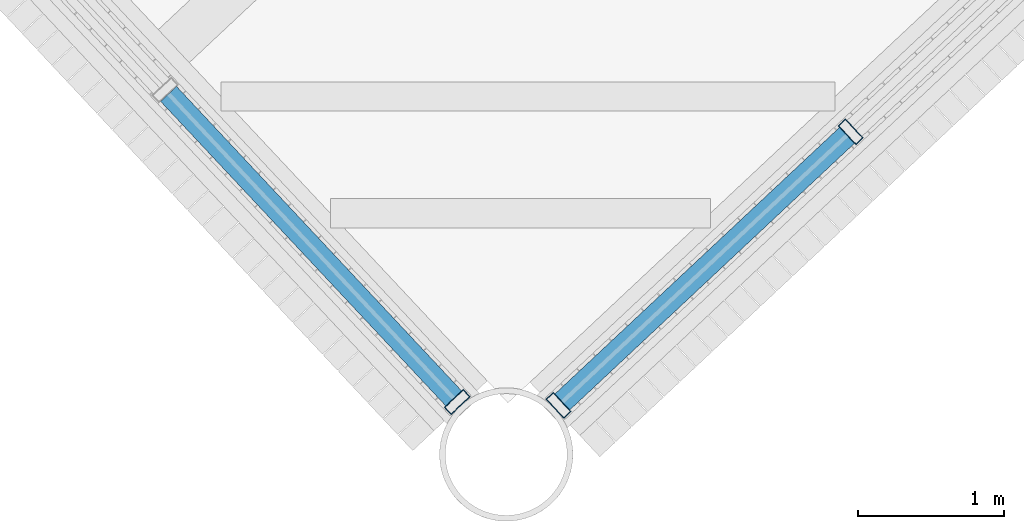
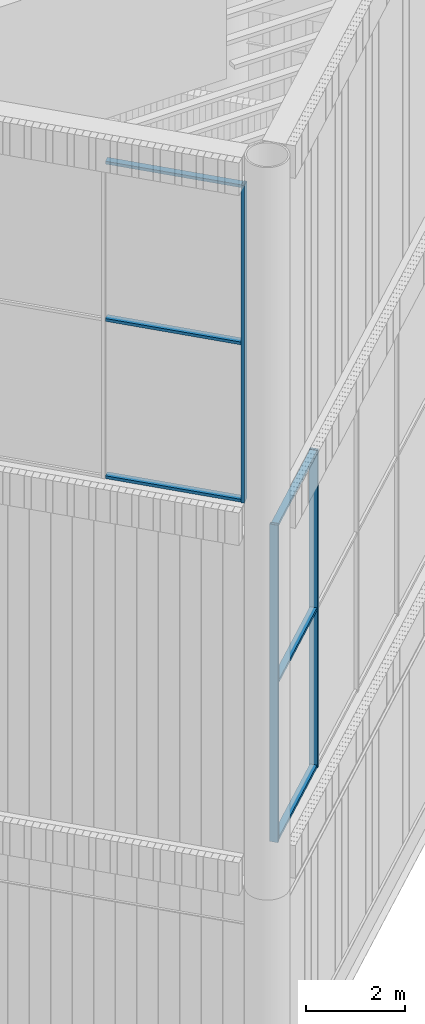
# One storey, part 31 of 117: 9 members, 2 elements without a shape of their own.
"""IFC4 building model written with IfcOpenShell, lengths in metres."""

from ifc_helpers import new_model, si_unit, direction, frame, origin, origin_2d, place, context, subcontext, project, spatial, hollow_rectangle, extrude, material, layer, layer_set, material_profile, profile_set, type_object, element, aggregate, save


model = new_model("IFC4")

# Units and contexts
model_context = context("Model", 3, precision=1e-05, world=origin(), true_north=direction((0.0, 1.0)))
body_context = subcontext(model_context, "Body", "Model", "MODEL_VIEW")
ifc_project = project(units=[si_unit("LENGTHUNIT", "METRE"), si_unit("AREAUNIT", "SQUARE_METRE"), si_unit("VOLUMEUNIT", "CUBIC_METRE"), si_unit("PLANEANGLEUNIT", "RADIAN"), si_unit("MASSUNIT", "GRAM", prefix="KILO")], contexts=[model_context])

# Site, building, storey
site_placement = place(None, origin())
site = spatial("IfcSite", under=ifc_project, at=site_placement, CompositionType="ELEMENT")
building_placement = place(site_placement, origin())
building = spatial("IfcBuilding", under=site, at=building_placement, Name="Tarsis Ring Headquarters", CompositionType="ELEMENT")
storey_placement = place(building_placement, frame((0.0, 0.0, 403.60009765625)))
storey = spatial("IfcBuildingStorey", under=building, at=storey_placement, Name="L95", CompositionType="ELEMENT", Elevation=403.60009765625)

# Curtain wall, members
ifc_material_1 = material(Name="Aluminium curtain wall", Category="aluminium")
ifc_layer = layer(ifc_material_1, 0.179931640625)
ifc_layer_set = layer_set([ifc_layer], Name="Curtain wall crown glazing")
curtain_wall_type = type_object("IfcCurtainWallType", Name="Curtain wall crown glazing", PredefinedType="NOTDEFINED", material=ifc_layer_set)
curtain_wall_1_placement = place(storey_placement, origin())
curtain_wall_1 = element("IfcCurtainWall", 1, at=curtain_wall_1_placement, inside=storey, type_object=curtain_wall_type, Name="Crown glazing L3", PredefinedType="NOTDEFINED")
ifc_material_2 = material(Name="Aluminium mullion", Category="aluminium")
ifc_material_profile_1 = material_profile(ifc_material_2, hollow_rectangle(XDim=0.179931640625, YDim=0.070068359375, WallThickness=0.0048828125, at=origin_2d()), Name="RHS 180x70x5")
ifc_profile_set_1 = profile_set([ifc_material_profile_1], Name="Aluminium mullion")
member_type_1 = type_object("IfcMemberType", Name="Crown glazing mullion RHS 180x70x5", PredefinedType="MULLION", material=ifc_profile_set_1)
member_1_placement = place(storey_placement, frame((13.343017578125, -35.18115234375, 5.7998046875), z_axis=(0.0, 0.0, 1.0), x_axis=(-0.683528553678, 0.729923774312, 0.0)))
member_1 = element("IfcMember", 2, at=member_1_placement, type_object=member_type_1, Name="CW-C mullion 1", PredefinedType="MULLION", context=body_context, shape_type="SweptSolid", body=[
    extrude(hollow_rectangle(XDim=0.179931640625, YDim=0.070068359375, WallThickness=0.0048828125, at=origin_2d()), origin(), (0.0, 0.0, 1.0), 7.800048828125),
])
member_2_placement = place(storey_placement, frame((15.3447265625, -33.306884765625, 5.7998046875), z_axis=(0.0, 0.0, 1.0), x_axis=(-0.683528553678, 0.729923774312, 0.0)))
member_2 = element("IfcMember", 3, at=member_2_placement, type_object=member_type_1, Name="CW-C mullion 2", PredefinedType="MULLION", context=body_context, shape_type="SweptSolid", body=[
    extrude(hollow_rectangle(XDim=0.179931640625, YDim=0.070068359375, WallThickness=0.0048828125, at=origin_2d()), origin(), (0.0, 0.0, 1.0), 7.800048828125),
])

# Curtain wall, member
curtain_wall_2_placement = place(storey_placement, origin())
curtain_wall_2 = element("IfcCurtainWall", 4, at=curtain_wall_2_placement, inside=storey, type_object=curtain_wall_type, Name="Crown glazing U2", PredefinedType="NOTDEFINED")
member_3_placement = place(storey_placement, frame((12.647705078125, -35.158447265625, 14.39990234375), z_axis=(0.0, 0.0, 1.0), x_axis=(0.729923743736, 0.68352858633, 0.0)))
member_3 = element("IfcMember", 5, at=member_3_placement, type_object=member_type_1, Name="CW-C mullion 4", PredefinedType="MULLION", context=body_context, shape_type="SweptSolid", body=[
    extrude(hollow_rectangle(XDim=0.179931640625, YDim=0.070068359375, WallThickness=0.0048828125, at=origin_2d()), origin(), (0.0, 0.0, 1.0), 7.800048828125),
])

# Member
ifc_material_3 = material(Name="Aluminium transom", Category="aluminium")
ifc_material_profile_2 = material_profile(ifc_material_3, hollow_rectangle(XDim=0.14990234375, YDim=0.070068359375, WallThickness=0.0048828125, at=origin_2d()), Name="RHS 150x70x5")
ifc_profile_set_2 = profile_set([ifc_material_profile_2], Name="Aluminium transom")
member_type_2 = type_object("IfcMemberType", Name="Crown glazing transom RHS 150x70x5", PredefinedType="USERDEFINED", material=ifc_profile_set_2)
member_4_placement = place(storey_placement, frame((13.36865234375, -35.1572265625, 5.8349609375), z_axis=(0.729933133303, 0.683518559299, 0.0), x_axis=(-0.683518559299, 0.729933133303, 0.0)))
member_4 = element("IfcMember", 6, at=member_4_placement, type_object=member_type_2, Name="CW-C transom 1.1", ObjectType="TRANSOM", PredefinedType="USERDEFINED", context=body_context, shape_type="SweptSolid", body=[
    extrude(hollow_rectangle(XDim=0.14990234375, YDim=0.070068359375, WallThickness=0.0048828125, at=origin_2d()), origin(), (0.0, 0.0, 1.0), 2.672119140625),
])

member_5_placement = place(storey_placement, frame((13.36865234375, -35.1572265625, 9.699951171875), z_axis=(0.729933133303, 0.683518559299, 0.0), x_axis=(-0.683518559299, 0.729933133303, 0.0)))
member_5 = element("IfcMember", 7, at=member_5_placement, type_object=member_type_2, Name="CW-C transom 1.2", ObjectType="TRANSOM", PredefinedType="USERDEFINED", context=body_context, shape_type="SweptSolid", body=[
    extrude(hollow_rectangle(XDim=0.14990234375, YDim=0.070068359375, WallThickness=0.0048828125, at=origin_2d()), origin(), (0.0, 0.0, 1.0), 2.672119140625),
])

member_6_placement = place(storey_placement, frame((13.36865234375, -35.1572265625, 13.56494140625), z_axis=(0.729933133303, 0.683518559299, 0.0), x_axis=(-0.683518559299, 0.729933133303, 0.0)))
member_6 = element("IfcMember", 8, at=member_6_placement, type_object=member_type_2, Name="CW-C transom 1.3", ObjectType="TRANSOM", PredefinedType="USERDEFINED", context=body_context, shape_type="SweptSolid", body=[
    extrude(hollow_rectangle(XDim=0.14990234375, YDim=0.070068359375, WallThickness=0.0048828125, at=origin_2d()), origin(), (0.0, 0.0, 1.0), 2.672119140625),
])

aggregate(curtain_wall_1, [member_1, member_2, member_4, member_5, member_6])

member_7_placement = place(storey_placement, frame((10.669921875, -33.04638671875, 14.434814453125), z_axis=(0.683537589987, -0.729915312262, 0.0), x_axis=(0.729915312262, 0.683537589987, 0.0)))
member_7 = element("IfcMember", 9, at=member_7_placement, type_object=member_type_2, Name="CW-C transom 3.1", ObjectType="TRANSOM", PredefinedType="USERDEFINED", context=body_context, shape_type="SweptSolid", body=[
    extrude(hollow_rectangle(XDim=0.14990234375, YDim=0.070068359375, WallThickness=0.0048828125, at=origin_2d()), origin(), (0.0, 0.0, 1.0), 2.8583984375),
])

member_8_placement = place(storey_placement, frame((10.669921875, -33.04638671875, 18.2998046875), z_axis=(0.683537589987, -0.729915312262, 0.0), x_axis=(0.729915312262, 0.683537589987, 0.0)))
member_8 = element("IfcMember", 10, at=member_8_placement, type_object=member_type_2, Name="CW-C transom 3.2", ObjectType="TRANSOM", PredefinedType="USERDEFINED", context=body_context, shape_type="SweptSolid", body=[
    extrude(hollow_rectangle(XDim=0.14990234375, YDim=0.070068359375, WallThickness=0.0048828125, at=origin_2d()), origin(), (0.0, 0.0, 1.0), 2.8583984375),
])

member_9_placement = place(storey_placement, frame((10.669921875, -33.04638671875, 22.164794921875), z_axis=(0.683537589987, -0.729915312262, 0.0), x_axis=(0.729915312262, 0.683537589987, 0.0)))
member_9 = element("IfcMember", 11, at=member_9_placement, type_object=member_type_2, Name="CW-C transom 3.3", ObjectType="TRANSOM", PredefinedType="USERDEFINED", context=body_context, shape_type="SweptSolid", body=[
    extrude(hollow_rectangle(XDim=0.14990234375, YDim=0.070068359375, WallThickness=0.0048828125, at=origin_2d()), origin(), (0.0, 0.0, 1.0), 2.8583984375),
])

aggregate(curtain_wall_2, [member_3, member_7, member_8, member_9])

save(model, "model.ifc")
